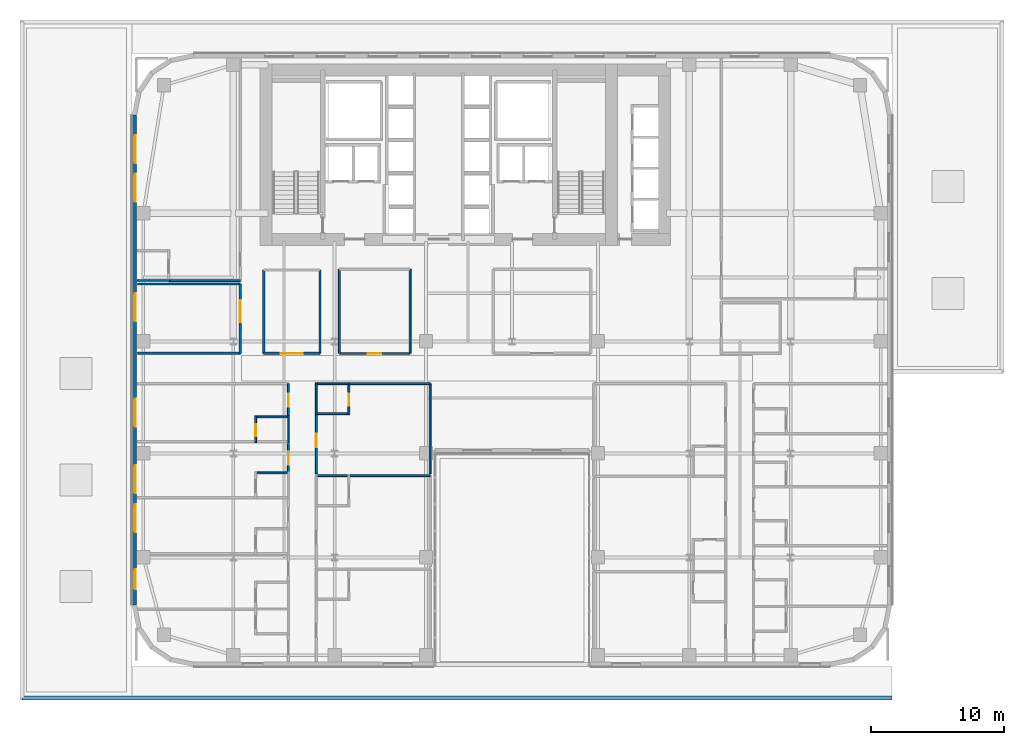
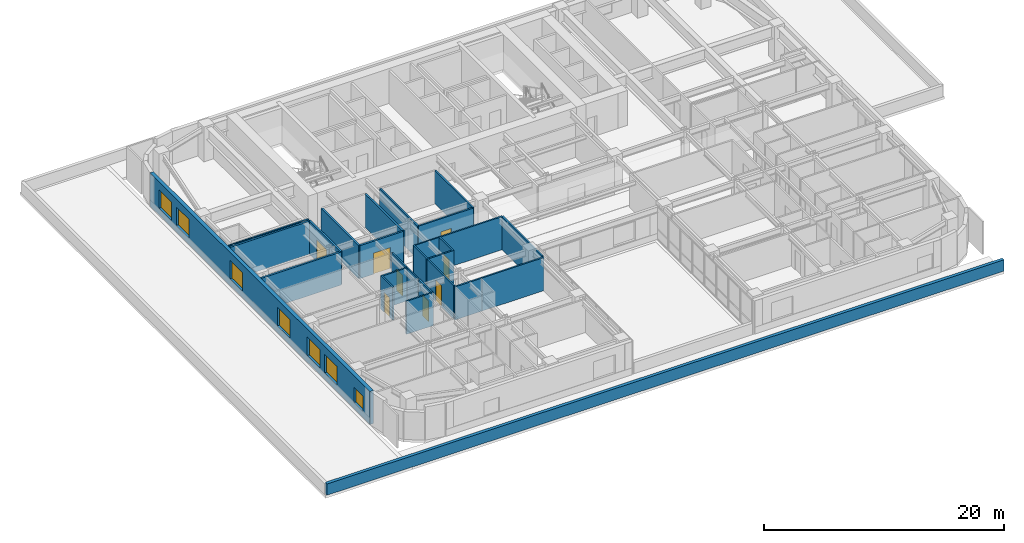
# One storey, part 14 of 25: 28 walls, 8 doors, 7 windows, 15 openings.
"""IFC4 building model written with IfcOpenShell, lengths in metres."""

import ifcopenshell
import ifcopenshell.guid

model = None  # the IFC model being written
_history = None  # IfcOwnerHistory: only IFC2X3 demands one
_inside = {}  # id of a spatial element -> (the spatial element, [elements in it])
_under = {}  # id of a project, library or spatial element -> (it, [spatial elements below it])
_declared = {}  # id of a project -> (the project, [libraries it declares])
_typed = {}  # id of a type object -> (the type object, [elements of that type])
_made_of = {}  # id of a material, layer set ... -> (it, [elements and type objects made of it])


def new_model(schema):
    """Start an empty IFC model of exactly this schema.

    Asked for "IFC4X3", IfcOpenShell would pick the latest addendum, in which some entities
    have other attributes; the version numbers below select the first issue.
    IFC2X3 requires an IfcOwnerHistory on every rooted entity: one is made here for all.
    """
    global model, _history
    if schema == "IFC4X3":
        model = ifcopenshell.file(schema_version=(4, 3, 0, 0))
    else:
        model = ifcopenshell.file(schema=schema)
    _inside.clear()
    _under.clear()
    _declared.clear()
    _typed.clear()
    _made_of.clear()
    _history = None
    if model.schema == "IFC2X3":
        org = make("IfcOrganization", Name="unknown")
        user = make(
            "IfcPersonAndOrganization",
            ThePerson=make("IfcPerson", FamilyName="unknown"),
            TheOrganization=org,
        )
        app = make(
            "IfcApplication",
            ApplicationDeveloper=org,
            Version="unknown",
            ApplicationFullName="unknown",
            ApplicationIdentifier="unknown",
        )
        _history = make(
            "IfcOwnerHistory",
            OwningUser=user,
            OwningApplication=app,
            ChangeAction="ADDED",
            CreationDate=0,
        )
    return model


def make(cls, **values):
    """One entity of the class cls with the attributes given. An attribute that is None is left unset."""
    return model.create_entity(
        cls, **{name: value for name, value in values.items() if value is not None}
    )


def rooted(cls, **values):
    """An entity with a GlobalId (a new one), such as an element, a storey or a relation."""
    return make(cls, GlobalId=ifcopenshell.guid.new(), OwnerHistory=_history, **values)


def si_unit(unit_type, name, prefix=None):
    """IfcSIUnit, for example si_unit("LENGTHUNIT", "METRE", prefix="MILLI")."""
    return make("IfcSIUnit", UnitType=unit_type, Prefix=prefix, Name=name)


def assignment(units):
    """IfcUnitAssignment: the units of a project."""
    return None if units is None else make("IfcUnitAssignment", Units=units)


def point(xyz):
    """IfcCartesianPoint."""
    return None if xyz is None else make("IfcCartesianPoint", Coordinates=xyz)


def direction(xyz):
    """IfcDirection."""
    return None if xyz is None else make("IfcDirection", DirectionRatios=xyz)


def frame(location, z_axis=None, x_axis=None):
    """IfcAxis2Placement3D, a coordinate frame: its origin and axes. An axis left out is left unset."""
    return make(
        "IfcAxis2Placement3D",
        Location=point(location),
        Axis=direction(z_axis),
        RefDirection=direction(x_axis),
    )


def frame_2d(location, x_axis=None):
    """IfcAxis2Placement2D, a coordinate frame in the plane: its origin and x axis."""
    return make(
        "IfcAxis2Placement2D", Location=point(location), RefDirection=direction(x_axis)
    )


def origin():
    """The frame at (0, 0, 0) with its axes left unset."""
    return frame((0.0, 0.0, 0.0))


def place(relative_to, where):
    """IfcLocalPlacement: puts the frame where relative to a parent placement (None: the world)."""
    return make(
        "IfcLocalPlacement", PlacementRelTo=relative_to, RelativePlacement=where
    )


def context(
    kind, dimensions, precision=None, world=None, true_north=None, identifier=None
):
    """IfcGeometricRepresentationContext, for example the 3D "Model" context."""
    return make(
        "IfcGeometricRepresentationContext",
        ContextIdentifier=identifier,
        ContextType=kind,
        CoordinateSpaceDimension=dimensions,
        Precision=precision,
        WorldCoordinateSystem=world,
        TrueNorth=true_north,
    )


def subcontext(parent, identifier, kind, view, scale=None):
    """IfcGeometricRepresentationSubContext, for example "Body" below "Model"."""
    return make(
        "IfcGeometricRepresentationSubContext",
        ContextIdentifier=identifier,
        ContextType=kind,
        ParentContext=parent,
        TargetScale=scale,
        TargetView=view,
    )


def project(units=None, contexts=None):
    """IfcProject with its units and contexts."""
    return rooted(
        "IfcProject",
        Name="project",
        RepresentationContexts=contexts,
        UnitsInContext=assignment(units),
    )


def spatial(cls, under=None, at=None, **own):
    """A site, building, storey or space (cls), placed at a placement, below another one or the project."""
    s = rooted(cls, ObjectPlacement=at, **own)
    if under is not None:
        _under.setdefault(under.id(), (under, []))[1].append(s)
    return s


def profile(cls, at=None, kind="AREA", **sizes):
    """A parametric profile (cls). Its sizes go by their IFC names, for example OverallWidth=200.0."""
    return make(cls, ProfileType=kind, Position=at, **sizes)


def rectangle(**sizes):
    """IfcRectangleProfileDef."""
    return profile("IfcRectangleProfileDef", **sizes)


def extrude(swept, where, along, depth):
    """IfcExtrudedAreaSolid: the profile swept, set in the frame where, extruded along a direction by depth."""
    return make(
        "IfcExtrudedAreaSolid",
        SweptArea=swept,
        Position=where,
        ExtrudedDirection=direction(along),
        Depth=depth,
    )


def shape(context_of_items, identifier, shape_type, items):
    """IfcShapeRepresentation: the items that make up one representation, for example the "Body"."""
    return make(
        "IfcShapeRepresentation",
        ContextOfItems=context_of_items,
        RepresentationIdentifier=identifier,
        RepresentationType=shape_type,
        Items=items,
    )


def source(mapping_origin, context_of_items, identifier, shape_type, items):
    """IfcRepresentationMap: a shape defined once, which mapped items show again and again."""
    return make(
        "IfcRepresentationMap",
        MappingOrigin=mapping_origin,
        MappedRepresentation=shape(context_of_items, identifier, shape_type, items),
    )


def transform(
    local_origin,
    x_axis=None,
    y_axis=None,
    z_axis=None,
    scale=None,
    scale2=None,
    scale3=None,
    uniform=True,
):
    """IfcCartesianTransformationOperator3D, or its non-uniform kind. x_axis, y_axis, z_axis: its Axis1, 2, 3."""
    if uniform:
        return make(
            "IfcCartesianTransformationOperator3D",
            Axis1=direction(x_axis),
            Axis2=direction(y_axis),
            LocalOrigin=point(local_origin),
            Scale=scale,
            Axis3=direction(z_axis),
        )
    return make(
        "IfcCartesianTransformationOperator3DnonUniform",
        Axis1=direction(x_axis),
        Axis2=direction(y_axis),
        LocalOrigin=point(local_origin),
        Scale=scale,
        Axis3=direction(z_axis),
        Scale2=scale2,
        Scale3=scale3,
    )


def mapped(mapping_source, mapping_target):
    """IfcMappedItem: shows the shape of a source again, moved by a transform."""
    return make(
        "IfcMappedItem", MappingSource=mapping_source, MappingTarget=mapping_target
    )


def material(Name=None, Category=None):
    """IfcMaterial."""
    return make("IfcMaterial", Name=Name, Category=Category)


def layer(
    of_material, thickness, ventilated=None, Name=None, Category=None, Priority=None
):
    """IfcMaterialLayer: one layer of a wall or slab, of a material (None: an air gap)."""
    return make(
        "IfcMaterialLayer",
        Material=of_material,
        LayerThickness=thickness,
        IsVentilated=ventilated,
        Name=Name,
        Category=Category,
        Priority=Priority,
    )


def layer_set(layers, Name=None):
    """IfcMaterialLayerSet."""
    return make("IfcMaterialLayerSet", MaterialLayers=layers, LayerSetName=Name)


def made_of(thing, what):
    """Note that an element or type object is made of a material, layer set ...; save() writes the relation."""
    if what is not None:
        _made_of.setdefault(what.id(), (what, []))[1].append(thing)
    return thing


def type_object(cls, material=None, **own):
    """A type object (cls), such as IfcWallType, which elements share."""
    return made_of(rooted(cls, **own), material)


def type_shapes(of_type, sources):
    """Give a type object the sources (RepresentationMaps) that its elements show as mapped items."""
    of_type.RepresentationMaps = sources


def element(
    cls,
    number,
    at=None,
    inside=None,
    cuts=None,
    type_object=None,
    material=None,
    context=None,
    identifier="Body",
    shape_type=None,
    held_by="IfcProductDefinitionShape",
    body=None,
    shapes=None,
    **own,
):
    """One element of the class cls, such as IfcWall. Its Tag is "e" and its number.

    at: its placement. inside: the storey or other place that contains it. cuts: it is an
    opening in that element (IfcRelVoidsElement). A single representation is given by context,
    identifier, shape_type and body (its items); several are given by shapes. held_by: the class
    of the entity that holds the representations. save() writes the other relations.
    """
    e = rooted(cls, Tag="e%d" % number, ObjectPlacement=at, **own)
    if body is not None:
        shapes = [shape(context, identifier, shape_type, body)]
    if shapes is not None:
        e.Representation = make(held_by, Representations=shapes)
    if inside is not None:
        _inside.setdefault(inside.id(), (inside, []))[1].append(e)
    if cuts is not None:
        rooted(
            "IfcRelVoidsElement", RelatingBuildingElement=cuts, RelatedOpeningElement=e
        )
    if type_object is not None:
        _typed.setdefault(type_object.id(), (type_object, []))[1].append(e)
    return made_of(e, material)


def fill(opening, filler):
    """IfcRelFillsElement: the door or window that sits in an opening."""
    return rooted(
        "IfcRelFillsElement",
        RelatingOpeningElement=opening,
        RelatedBuildingElement=filler,
    )


def aggregate(whole, parts):
    """IfcRelAggregates: a whole, such as a stair, and the parts it consists of."""
    return rooted("IfcRelAggregates", RelatingObject=whole, RelatedObjects=parts)


def save(model, path):
    """Write the relations noted so far, then the file.

    IfcRelAggregates (storeys below a building ...), IfcRelContainedInSpatialStructure (elements
    in a storey), IfcRelDefinesByType, IfcRelAssociatesMaterial and IfcRelDeclares: one each for
    every whole, place, type object, material and project.
    """
    for whole, parts in _under.values():
        aggregate(whole, parts)
    for where, things in _inside.values():
        rooted(
            "IfcRelContainedInSpatialStructure",
            RelatedElements=things,
            RelatingStructure=where,
        )
    for kind, things in _typed.values():
        rooted("IfcRelDefinesByType", RelatedObjects=things, RelatingType=kind)
    for what, things in _made_of.values():
        rooted("IfcRelAssociatesMaterial", RelatedObjects=things, RelatingMaterial=what)
    for by, libraries in _declared.values():
        rooted("IfcRelDeclares", RelatingContext=by, RelatedDefinitions=libraries)
    model.write(path)


model = new_model("IFC4")

# Units and contexts
model_context = context("Model", 3, precision=1e-05, world=origin(), true_north=direction((0.0, 1.0)))
body_context = subcontext(model_context, "Body", "Model", "MODEL_VIEW")
ifc_project = project(units=[si_unit("LENGTHUNIT", "METRE"), si_unit("AREAUNIT", "SQUARE_METRE"), si_unit("VOLUMEUNIT", "CUBIC_METRE"), si_unit("PLANEANGLEUNIT", "RADIAN"), si_unit("MASSUNIT", "GRAM", prefix="KILO")], contexts=[model_context])

# Site, building, storey
site_placement = place(None, origin())
site = spatial("IfcSite", under=ifc_project, at=site_placement, CompositionType="ELEMENT")
building_placement = place(site_placement, origin())
building = spatial("IfcBuilding", under=site, at=building_placement, Name="Tolvann Quenvar Hotel", CompositionType="ELEMENT")
storey_placement = place(building_placement, frame((0.0, 0.0, 32.0)))
storey = spatial("IfcBuildingStorey", under=building, at=storey_placement, Name="L06", CompositionType="ELEMENT", Elevation=32.0)

# Wall, openings, windows
ifc_material_1 = material(Name="Kiln-fired red and buff architectural clay brickwork and terracotta masonry", Category="masonry")
ifc_layer_1 = layer(ifc_material_1, 0.35009765625)
ifc_layer_set_1 = layer_set([ifc_layer_1], Name="Kiln-fired red and buff architectural clay brickwork and terracotta masonry")
wall_type_1 = type_object("IfcWallType", Name="WALL_EXT_BRICK_350", PredefinedType="SOLIDWALL", material=ifc_layer_set_1)
wall_1_placement = place(storey_placement, frame((0.175048828125, 41.3828125, 0.0), z_axis=(0.0, 0.0, 1.0), x_axis=(0.0, -1.0, 0.0)))
wall_1 = element("IfcWall", 1, at=wall_1_placement, inside=storey, type_object=wall_type_1, Name="Exterior Chicago Brick Wall L06-E23", PredefinedType="SOLIDWALL", context=body_context, shape_type="SweptSolid", body=[
    extrude(rectangle(XDim=36.765625, YDim=0.35009765625, at=frame_2d((18.3828125, 0.0))), origin(), (0.0, 0.0, 1.0), 3.3701171875),
])
opening_1_placement = place(wall_1_placement, frame((1.52587890625, 0.0, 0.679931640625)))
opening_1 = element("IfcOpeningElement", 2, at=opening_1_placement, cuts=wall_1, Name="Opening W-02", PredefinedType="OPENING", context=body_context, shape_type="SweptSolid", body=[
    extrude(rectangle(XDim=2.10009765625, YDim=1.89990234375, at=frame_2d((1.050048828125, 0.949951171875))), frame((0.0, 0.18505859375, 0.0), z_axis=(0.0, -1.0, 0.0), x_axis=(1.0, 0.0, 0.0)), (0.0, 0.0, 1.0), 0.3701171875),
])
opening_2_placement = place(wall_1_placement, frame((4.427978515625, 0.0, 0.679931640625)))
opening_2 = element("IfcOpeningElement", 3, at=opening_2_placement, cuts=wall_1, Name="Opening W-02", PredefinedType="OPENING", context=body_context, shape_type="SweptSolid", body=[
    extrude(rectangle(XDim=2.10009765625, YDim=1.89990234375, at=frame_2d((1.050048828125, 0.949951171875))), frame((0.0, 0.18505859375, 0.0), z_axis=(0.0, -1.0, 0.0), x_axis=(1.0, 0.0, 0.0)), (0.0, 0.0, 1.0), 0.3701171875),
])
opening_3_placement = place(wall_1_placement, frame((13.381103515625, 0.0, 0.679931640625)))
opening_3 = element("IfcOpeningElement", 4, at=opening_3_placement, cuts=wall_1, Name="Opening W-02", PredefinedType="OPENING", context=body_context, shape_type="SweptSolid", body=[
    extrude(rectangle(XDim=2.10009765625, YDim=1.89990234375, at=frame_2d((1.050048828125, 0.949951171875))), frame((0.0, 0.18505859375, 0.0), z_axis=(0.0, -1.0, 0.0), x_axis=(1.0, 0.0, 0.0)), (0.0, 0.0, 1.0), 0.3701171875),
])
opening_4_placement = place(wall_1_placement, frame((21.284912109375, 0.0, 0.679931640625)))
opening_4 = element("IfcOpeningElement", 5, at=opening_4_placement, cuts=wall_1, Name="Opening W-02", PredefinedType="OPENING", context=body_context, shape_type="SweptSolid", body=[
    extrude(rectangle(XDim=2.10009765625, YDim=1.89990234375, at=frame_2d((1.050048828125, 0.949951171875))), frame((0.0, 0.18505859375, 0.0), z_axis=(0.0, -1.0, 0.0), x_axis=(1.0, 0.0, 0.0)), (0.0, 0.0, 1.0), 0.3701171875),
])
opening_5_placement = place(wall_1_placement, frame((26.285888671875, 0.0, 0.679931640625)))
opening_5 = element("IfcOpeningElement", 6, at=opening_5_placement, cuts=wall_1, Name="Opening W-02", PredefinedType="OPENING", context=body_context, shape_type="SweptSolid", body=[
    extrude(rectangle(XDim=2.10009765625, YDim=1.89990234375, at=frame_2d((1.050048828125, 0.949951171875))), frame((0.0, 0.18505859375, 0.0), z_axis=(0.0, -1.0, 0.0), x_axis=(1.0, 0.0, 0.0)), (0.0, 0.0, 1.0), 0.3701171875),
])
opening_6_placement = place(wall_1_placement, frame((29.18798828125, 0.0, 0.679931640625)))
opening_6 = element("IfcOpeningElement", 7, at=opening_6_placement, cuts=wall_1, Name="Opening W-02", PredefinedType="OPENING", context=body_context, shape_type="SweptSolid", body=[
    extrude(rectangle(XDim=2.10009765625, YDim=1.89990234375, at=frame_2d((1.050048828125, 0.949951171875))), frame((0.0, 0.18505859375, 0.0), z_axis=(0.0, -1.0, 0.0), x_axis=(1.0, 0.0, 0.0)), (0.0, 0.0, 1.0), 0.3701171875),
])
opening_7_placement = place(wall_1_placement, frame((34.0791015625, 0.0, 0.6201171875)))
opening_7 = element("IfcOpeningElement", 8, at=opening_7_placement, cuts=wall_1, Name="Opening W-08", PredefinedType="OPENING", context=body_context, shape_type="SweptSolid", body=[
    extrude(rectangle(XDim=1.5, YDim=1.550048828125, at=frame_2d((0.75, 0.77490234375))), frame((0.0, 0.18505859375, 0.0), z_axis=(0.0, -1.0, 0.0), x_axis=(1.0, 0.0, 0.0)), (0.0, 0.0, 1.0), 0.3701171875),
])
ifc_material_2 = material(Name="Thermally broken bronze-anodised aluminium frame with double low-E glazing", Category="aluminium")
window_type_1 = type_object("IfcWindowType", Name="WIN_COR_1500x2050", PartitioningType="SINGLE_PANEL", PredefinedType="WINDOW", material=ifc_material_2)
shared_shape_1 = source(origin(), body_context, "Body", "SweptSolid", [
    extrude(rectangle(XDim=1.5, YDim=1.550048828125, at=frame_2d((0.75, 0.77490234375))), frame((0.0, 0.090087890625, 0.0), z_axis=(0.0, -1.0, 0.0), x_axis=(1.0, 0.0, 0.0)), (0.0, 0.0, 1.0), 0.06005859375),
])
type_shapes(window_type_1, [shared_shape_1])
window_1_placement = place(opening_7_placement, origin())
window_1 = element("IfcWindow", 9, at=window_1_placement, inside=storey, type_object=window_type_1, Name="Chicago Window W-08 (EW-L06-E23-WD07)", OverallHeight=1.550048828125, OverallWidth=1.5, PartitioningType="SINGLE_PANEL", PredefinedType="WINDOW", context=body_context, shape_type="MappedRepresentation", body=[
    mapped(shared_shape_1, transform((0.0, 0.0, 0.0), x_axis=(1.0, 0.0, 0.0), y_axis=(0.0, 1.0, 0.0), z_axis=(0.0, 0.0, 1.0), scale=1.0)),
])
fill(opening_7, window_1)
window_type_2 = type_object("IfcWindowType", Name="WIN_CHI_2100x2050", PartitioningType="TRIPLE_PANEL_HORIZONTAL", PredefinedType="WINDOW", material=ifc_material_2)
shared_shape_2 = source(origin(), body_context, "Body", "SweptSolid", [
    extrude(rectangle(XDim=2.10009765625, YDim=1.89990234375, at=frame_2d((1.050048828125, 0.949951171875))), frame((0.0, 0.090087890625, 0.0), z_axis=(0.0, -1.0, 0.0), x_axis=(1.0, 0.0, 0.0)), (0.0, 0.0, 1.0), 0.06005859375),
])
type_shapes(window_type_2, [shared_shape_2])
window_2_placement = place(opening_1_placement, origin())
window_2 = element("IfcWindow", 10, at=window_2_placement, inside=storey, type_object=window_type_2, Name="Chicago Window W-02 (EW-L06-E23-W01)", OverallHeight=1.89990234375, OverallWidth=2.10009765625, PartitioningType="TRIPLE_PANEL_HORIZONTAL", PredefinedType="WINDOW", context=body_context, shape_type="MappedRepresentation", body=[
    mapped(shared_shape_2, transform((0.0, 0.0, 0.0), x_axis=(1.0, 0.0, 0.0), y_axis=(0.0, 1.0, 0.0), z_axis=(0.0, 0.0, 1.0), scale=1.0)),
])
fill(opening_1, window_2)
window_3_placement = place(opening_2_placement, origin())
window_3 = element("IfcWindow", 11, at=window_3_placement, inside=storey, type_object=window_type_2, Name="Chicago Window W-02 (EW-L06-E23-W02)", OverallHeight=1.89990234375, OverallWidth=2.10009765625, PartitioningType="TRIPLE_PANEL_HORIZONTAL", PredefinedType="WINDOW", context=body_context, shape_type="MappedRepresentation", body=[
    mapped(shared_shape_2, transform((0.0, 0.0, 0.0), x_axis=(1.0, 0.0, 0.0), y_axis=(0.0, 1.0, 0.0), z_axis=(0.0, 0.0, 1.0), scale=1.0)),
])
fill(opening_2, window_3)
window_4_placement = place(opening_3_placement, origin())
window_4 = element("IfcWindow", 12, at=window_4_placement, inside=storey, type_object=window_type_2, Name="Chicago Window W-02 (EW-L06-E23-W03)", OverallHeight=1.89990234375, OverallWidth=2.10009765625, PartitioningType="TRIPLE_PANEL_HORIZONTAL", PredefinedType="WINDOW", context=body_context, shape_type="MappedRepresentation", body=[
    mapped(shared_shape_2, transform((0.0, 0.0, 0.0), x_axis=(1.0, 0.0, 0.0), y_axis=(0.0, 1.0, 0.0), z_axis=(0.0, 0.0, 1.0), scale=1.0)),
])
fill(opening_3, window_4)
window_5_placement = place(opening_4_placement, origin())
window_5 = element("IfcWindow", 13, at=window_5_placement, inside=storey, type_object=window_type_2, Name="Chicago Window W-02 (EW-L06-E23-W04)", OverallHeight=1.89990234375, OverallWidth=2.10009765625, PartitioningType="TRIPLE_PANEL_HORIZONTAL", PredefinedType="WINDOW", context=body_context, shape_type="MappedRepresentation", body=[
    mapped(shared_shape_2, transform((0.0, 0.0, 0.0), x_axis=(1.0, 0.0, 0.0), y_axis=(0.0, 1.0, 0.0), z_axis=(0.0, 0.0, 1.0), scale=1.0)),
])
fill(opening_4, window_5)
window_6_placement = place(opening_5_placement, origin())
window_6 = element("IfcWindow", 14, at=window_6_placement, inside=storey, type_object=window_type_2, Name="Chicago Window W-02 (EW-L06-E23-W05)", OverallHeight=1.89990234375, OverallWidth=2.10009765625, PartitioningType="TRIPLE_PANEL_HORIZONTAL", PredefinedType="WINDOW", context=body_context, shape_type="MappedRepresentation", body=[
    mapped(shared_shape_2, transform((0.0, 0.0, 0.0), x_axis=(1.0, 0.0, 0.0), y_axis=(0.0, 1.0, 0.0), z_axis=(0.0, 0.0, 1.0), scale=1.0)),
])
fill(opening_5, window_6)
window_7_placement = place(opening_6_placement, origin())
window_7 = element("IfcWindow", 15, at=window_7_placement, inside=storey, type_object=window_type_2, Name="Chicago Window W-02 (EW-L06-E23-W06)", OverallHeight=1.89990234375, OverallWidth=2.10009765625, PartitioningType="TRIPLE_PANEL_HORIZONTAL", PredefinedType="WINDOW", context=body_context, shape_type="MappedRepresentation", body=[
    mapped(shared_shape_2, transform((0.0, 0.0, 0.0), x_axis=(1.0, 0.0, 0.0), y_axis=(0.0, 1.0, 0.0), z_axis=(0.0, 0.0, 1.0), scale=1.0)),
])
fill(opening_6, window_7)

# Wall
ifc_layer_2 = layer(ifc_material_1, 0.300048828125)
ifc_layer_set_2 = layer_set([ifc_layer_2], Name="Kiln-fired red and buff architectural clay brickwork and terracotta masonry")
wall_type_2 = type_object("IfcWallType", Name="WALL_PARAPET_300", PredefinedType="PARAPET", material=ifc_layer_set_2)
wall_2_placement = place(storey_placement, frame((-8.25, -2.35009765625, 0.0), z_axis=(0.0, 0.0, 1.0), x_axis=(1.0, 0.0, 0.0)))
element("IfcWall", 16, at=wall_2_placement, inside=storey, type_object=wall_type_2, Name="Podium Roof Parapet POD-S", PredefinedType="PARAPET", context=body_context, shape_type="SweptSolid", body=[
    extrude(rectangle(XDim=65.25, YDim=0.300048828125, at=frame_2d((32.625, 0.0))), origin(), (0.0, 0.0, 1.0), 1.14990234375),
])

# Wall, opening, door
ifc_material_3 = material(Name="Acoustic twin-stud fire-rated gypsum plasterboard partition")
ifc_layer_3 = layer(ifc_material_3, 0.179931640625)
ifc_layer_set_3 = layer_set([ifc_layer_3], Name="Acoustic twin-stud fire-rated gypsum plasterboard partition")
wall_type_3 = type_object("IfcWallType", Name="WALL_PART_ACOUSTIC_180", PredefinedType="PARTITIONING", material=ifc_layer_set_3)
wall_3_placement = place(storey_placement, frame((8.1201171875, 23.5, 0.0), z_axis=(0.0, 0.0, 1.0), x_axis=(0.0, 1.0, 0.0)))
wall_3 = element("IfcWall", 17, at=wall_3_placement, inside=storey, type_object=wall_type_3, Name="Interior Partition PT-SPC-L06-SAL-ENT", PredefinedType="PARTITIONING", context=body_context, shape_type="SweptSolid", body=[
    extrude(rectangle(XDim=5.199951171875, YDim=0.179931640625, at=frame_2d((2.60009765625, 0.0))), origin(), (0.0, 0.0, 1.0), 3.3701171875),
])
opening_8_placement = place(wall_3_placement, frame((2.324951171875, 0.0, 0.0)))
opening_8 = element("IfcOpeningElement", 18, at=opening_8_placement, cuts=wall_3, Name="Opening AD-01", PredefinedType="OPENING", context=body_context, shape_type="SweptSolid", body=[
    extrude(rectangle(XDim=1.64990234375, YDim=2.14990234375, at=frame_2d((0.824951171875, 1.074951171875))), frame((0.0, 0.10009765625, 0.0), z_axis=(0.0, -1.0, 0.0), x_axis=(1.0, 0.0, 0.0)), (0.0, 0.0, 1.0), 0.199951171875),
])
ifc_material_4 = material(Name="Solid-core American oak acoustic fire door leaf in steel frame", Category="steel")
door_type_1 = type_object("IfcDoorType", Name="DOOR_SALON_1650", OperationType="NOTDEFINED", PredefinedType="DOOR", material=ifc_material_4)
shared_shape_3 = source(origin(), body_context, "Body", "SweptSolid", [
    extrude(rectangle(XDim=1.64990234375, YDim=2.14990234375, at=frame_2d((0.824951171875, 1.074951171875))), frame((0.0, 0.02490234375, 0.0), z_axis=(0.0, -1.0, 0.0), x_axis=(1.0, 0.0, 0.0)), (0.0, 0.0, 1.0), 0.050048828125),
])
type_shapes(door_type_1, [shared_shape_3])
door_1_placement = place(opening_8_placement, origin())
door_1 = element("IfcDoor", 19, at=door_1_placement, inside=storey, type_object=door_type_1, Name="Interior Door DOOR-SPC-L06-SAL", OperationType="DOUBLE_DOOR_SINGLE_SWING", OverallHeight=2.14990234375, OverallWidth=1.64990234375, PredefinedType="DOOR", context=body_context, shape_type="MappedRepresentation", body=[
    mapped(shared_shape_3, transform((0.0, 0.0, 0.0), x_axis=(1.0, 0.0, 0.0), y_axis=(0.0, 1.0, 0.0), z_axis=(0.0, 0.0, 1.0), scale=1.0)),
])
fill(opening_8, door_1)

# Walls
for number, where, z_axis, x_axis, name in (
    (20, (0.405029296875, 23.5, 0.0), (0.0, 0.0, 1.0), (1.0, 0.0, 0.0), "Interior Partition PT-SPC-L06-SAL-S"),
    (21, (0.405029296875, 28.699951171875, 0.0), (0.0, 0.0, 1.0), (1.0, 0.0, 0.0), "Interior Partition PT-SPC-L06-SAL-N"),
):
    element("IfcWall", number, at=place(storey_placement, frame(where, z_axis=z_axis, x_axis=x_axis)), inside=storey, type_object=wall_type_3, Name=name, PredefinedType="PARTITIONING", context=body_context, shape_type="SweptSolid", body=[
        extrude(rectangle(XDim=7.715087890625, YDim=0.179931640625, at=frame_2d((3.857421875, 0.0))), origin(), (0.0, 0.0, 1.0), 3.3701171875),
    ])

# Wall, opening, door
wall_4_placement = place(storey_placement, frame((9.8798828125, 23.5, 0.0), z_axis=(0.0, 0.0, 1.0), x_axis=(1.0, 0.0, 0.0)))
wall_4 = element("IfcWall", 22, at=wall_4_placement, inside=storey, type_object=wall_type_3, Name="Interior Partition PT-SPC-L06-MSP-W-S", PredefinedType="PARTITIONING", context=body_context, shape_type="SweptSolid", body=[
    extrude(rectangle(XDim=4.22021484375, YDim=0.179931640625, at=frame_2d((2.110107421875, 0.0))), origin(), (0.0, 0.0, 1.0), 3.3701171875),
])
opening_9_placement = place(wall_4_placement, frame((1.284912109375, 0.0, 0.0)))
opening_9 = element("IfcOpeningElement", 23, at=opening_9_placement, cuts=wall_4, Name="Opening AD-01", PredefinedType="OPENING", context=body_context, shape_type="SweptSolid", body=[
    extrude(rectangle(XDim=1.64990234375, YDim=2.14990234375, at=frame_2d((0.824951171875, 1.074951171875))), frame((0.0, 0.10009765625, 0.0), z_axis=(0.0, -1.0, 0.0), x_axis=(1.0, 0.0, 0.0)), (0.0, 0.0, 1.0), 0.199951171875),
])
door_2_placement = place(opening_9_placement, origin())
door_2 = element("IfcDoor", 24, at=door_2_placement, inside=storey, type_object=door_type_1, Name="Interior Door DOOR-SPC-L06-MSP-W", OperationType="DOUBLE_DOOR_SINGLE_SWING", OverallHeight=2.14990234375, OverallWidth=1.64990234375, PredefinedType="DOOR", context=body_context, shape_type="MappedRepresentation", body=[
    mapped(shared_shape_3, transform((0.0, 0.0, 0.0), x_axis=(1.0, 0.0, 0.0), y_axis=(0.0, 1.0, 0.0), z_axis=(0.0, 0.0, 1.0), scale=1.0)),
])
fill(opening_9, door_2)

# Walls
for number, where, z_axis, x_axis, name in (
    (25, (9.8798828125, 23.5, 0.0), (0.0, 0.0, 1.0), (0.0, 1.0, 0.0), "Interior Partition PT-SPC-L06-MSP-W-W"),
    (26, (14.10009765625, 23.5, 0.0), (0.0, 0.0, 1.0), (0.0, 1.0, 0.0), "Interior Partition PT-SPC-L06-MSP-W-E"),
):
    element("IfcWall", number, at=place(storey_placement, frame(where, z_axis=z_axis, x_axis=x_axis)), inside=storey, type_object=wall_type_3, Name=name, PredefinedType="PARTITIONING", context=body_context, shape_type="SweptSolid", body=[
        extrude(rectangle(XDim=6.25, YDim=0.179931640625, at=frame_2d((3.125, 0.0))), origin(), (0.0, 0.0, 1.0), 3.3701171875),
    ])
ifc_material_5 = material(Name="Moisture-resistant acoustic plumbing wall assembly")
ifc_layer_4 = layer(ifc_material_5, 0.1201171875)
ifc_layer_set_4 = layer_set([ifc_layer_4], Name="Moisture-resistant acoustic plumbing wall assembly")
wall_type_4 = type_object("IfcWallType", Name="WALL_PART_BATH_120", PredefinedType="PLUMBINGWALL", material=ifc_layer_set_4)
wall_5_placement = place(storey_placement, frame((11.72998046875, 16.81005859375, 0.0), z_axis=(0.0, 0.0, 1.0), x_axis=(0.0, 1.0, 0.0)))
element("IfcWall", 27, at=wall_5_placement, inside=storey, type_object=wall_type_4, Name="Non-Rated Plumbing Partition PT-SPC-L06-ENS-WO05-E", PredefinedType="PLUMBINGWALL", context=body_context, shape_type="SweptSolid", body=[
    extrude(rectangle(XDim=1.989990234375, YDim=0.1201171875, at=frame_2d((0.9951171875, 0.0))), origin(), (0.0, 0.0, 1.0), 3.3701171875),
])
wall_6_placement = place(storey_placement, frame((13.75, 21.219970703125, 0.0), z_axis=(0.0, 0.0, 1.0), x_axis=(1.0, 0.0, 0.0)))
element("IfcWall", 28, at=wall_6_placement, inside=storey, type_object=wall_type_4, Name="Non-Rated Plumbing Partition PT-SPC-L06-ENS-WI03-N", PredefinedType="PLUMBINGWALL", context=body_context, shape_type="SweptSolid", body=[
    extrude(rectangle(XDim=2.590087890625, YDim=0.1201171875, at=frame_2d((1.294921875, 0.0))), origin(), (0.0, 0.0, 1.0), 3.3701171875),
])
wall_7_placement = place(storey_placement, frame((13.820068359375, 18.89990234375, 0.0), z_axis=(0.0, 0.0, 1.0), x_axis=(0.0, 1.0, 0.0)))
element("IfcWall", 29, at=wall_7_placement, inside=storey, type_object=wall_type_4, Name="Non-Rated Plumbing Partition PT-SPC-L06-ENS-WI03-W", PredefinedType="PLUMBINGWALL", context=body_context, shape_type="SweptSolid", body=[
    extrude(rectangle(XDim=2.39013671875, YDim=0.1201171875, at=frame_2d((1.195068359375, 0.0))), origin(), (0.0, 0.0, 1.0), 3.3701171875),
])
wall_8_placement = place(storey_placement, frame((0.405029296875, 28.9599609375, 0.0), z_axis=(0.0, 0.0, 1.0), x_axis=(1.0, 0.0, 0.0)))
element("IfcWall", 30, at=wall_8_placement, inside=storey, type_object=wall_type_4, Name="Non-Rated Plumbing Partition PT-SPC-L06-ENS-NW01-S", PredefinedType="PLUMBINGWALL", context=body_context, shape_type="SweptSolid", body=[
    extrude(rectangle(XDim=2.4150390625, YDim=0.1201171875, at=frame_2d((1.20751953125, 0.0))), origin(), (0.0, 0.0, 1.0), 3.3701171875),
])
ifc_layer_5 = layer(ifc_material_3, 0.14990234375)
ifc_layer_set_5 = layer_set([ifc_layer_5], Name="Acoustic twin-stud fire-rated gypsum plasterboard partition")
wall_type_5 = type_object("IfcWallType", Name="WALL_PART_SUITE_150", PredefinedType="PARTITIONING", material=ifc_layer_set_5)
wall_9_placement = place(storey_placement, frame((9.2099609375, 14.530029296875, 0.0), z_axis=(0.0, 0.0, 1.0), x_axis=(1.0, 0.0, 0.0)))
element("IfcWall", 31, at=wall_9_placement, inside=storey, type_object=wall_type_5, Name="Interior Partition PT-SPC-L06-ENS-WO04-N", PredefinedType="PARTITIONING", context=body_context, shape_type="SweptSolid", body=[
    extrude(rectangle(XDim=2.590087890625, YDim=0.14990234375, at=frame_2d((1.294921875, 0.0))), origin(), (0.0, 0.0, 1.0), 3.3701171875),
])

# Wall, opening, door
wall_10_placement = place(storey_placement, frame((9.280029296875, 16.81005859375, 0.0), z_axis=(0.0, 0.0, 1.0), x_axis=(0.0, 1.0, 0.0)))
wall_10 = element("IfcWall", 32, at=wall_10_placement, inside=storey, type_object=wall_type_5, Name="Interior Partition PT-SPC-L06-ENS-WO05-ENT", PredefinedType="PARTITIONING", context=body_context, shape_type="SweptSolid", body=[
    extrude(rectangle(XDim=1.989990234375, YDim=0.14990234375, at=frame_2d((0.9951171875, 0.0))), origin(), (0.0, 0.0, 1.0), 3.3701171875),
])
opening_10_placement = place(wall_10_placement, frame((0.465087890625, 0.0, 0.0)))
opening_10 = element("IfcOpeningElement", 33, at=opening_10_placement, cuts=wall_10, Name="Opening WD-01", PredefinedType="OPENING", context=body_context, shape_type="SweptSolid", body=[
    extrude(rectangle(XDim=0.919921875, YDim=2.010009765625, at=frame_2d((0.4599609375, 1.0048828125))), frame((0.0, 0.0849609375, 0.0), z_axis=(0.0, -1.0, 0.0), x_axis=(1.0, 0.0, 0.0)), (0.0, 0.0, 1.0), 0.169921875),
])
door_type_2 = type_object("IfcDoorType", Name="DOOR_WC_920", OperationType="NOTDEFINED", PredefinedType="DOOR", material=ifc_material_4)
shared_shape_4 = source(origin(), body_context, "Body", "SweptSolid", [
    extrude(rectangle(XDim=0.919921875, YDim=2.010009765625, at=frame_2d((0.4599609375, 1.0048828125))), frame((0.0, 0.02490234375, 0.0), z_axis=(0.0, -1.0, 0.0), x_axis=(1.0, 0.0, 0.0)), (0.0, 0.0, 1.0), 0.050048828125),
])
type_shapes(door_type_2, [shared_shape_4])
door_3_placement = place(opening_10_placement, origin())
door_3 = element("IfcDoor", 34, at=door_3_placement, inside=storey, type_object=door_type_2, Name="Interior Door DOOR-SPC-L06-ENS-WO05", OperationType="SINGLE_SWING_RIGHT", OverallHeight=2.010009765625, OverallWidth=0.919921875, PredefinedType="DOOR", context=body_context, shape_type="MappedRepresentation", body=[
    mapped(shared_shape_4, transform((0.0, 0.0, 0.0), x_axis=(1.0, 0.0, 0.0), y_axis=(0.0, 1.0, 0.0), z_axis=(0.0, 0.0, 1.0), scale=1.0)),
])
fill(opening_10, door_3)

# Walls
for number, where, z_axis, x_axis, name in (
    (35, (9.2099609375, 18.72998046875, 0.0), (0.0, 0.0, 1.0), (1.0, 0.0, 0.0), "Interior Partition PT-SPC-L06-ENS-WO05-N"),
    (36, (13.75, 14.320068359375, 0.0), (0.0, 0.0, 1.0), (1.0, 0.0, 0.0), "Interior Partition PT-SPC-L06-ENS-WI02-N"),
):
    element("IfcWall", number, at=place(storey_placement, frame(where, z_axis=z_axis, x_axis=x_axis)), inside=storey, type_object=wall_type_5, Name=name, PredefinedType="PARTITIONING", context=body_context, shape_type="SweptSolid", body=[
        extrude(rectangle(XDim=2.590087890625, YDim=0.14990234375, at=frame_2d((1.294921875, 0.0))), origin(), (0.0, 0.0, 1.0), 3.3701171875),
    ])

# Wall, opening, door
wall_11_placement = place(storey_placement, frame((16.27001953125, 18.89990234375, 0.0), z_axis=(0.0, 0.0, 1.0), x_axis=(0.0, 1.0, 0.0)))
wall_11 = element("IfcWall", 37, at=wall_11_placement, inside=storey, type_object=wall_type_5, Name="Interior Partition PT-SPC-L06-ENS-WI03-ENT", PredefinedType="PARTITIONING", context=body_context, shape_type="SweptSolid", body=[
    extrude(rectangle(XDim=2.39013671875, YDim=0.14990234375, at=frame_2d((1.195068359375, 0.0))), origin(), (0.0, 0.0, 1.0), 3.3701171875),
])
opening_11_placement = place(wall_11_placement, frame((0.6650390625, 0.0, 0.0)))
opening_11 = element("IfcOpeningElement", 38, at=opening_11_placement, cuts=wall_11, Name="Opening WD-01", PredefinedType="OPENING", context=body_context, shape_type="SweptSolid", body=[
    extrude(rectangle(XDim=0.919921875, YDim=2.010009765625, at=frame_2d((0.4599609375, 1.0048828125))), frame((0.0, 0.0849609375, 0.0), z_axis=(0.0, -1.0, 0.0), x_axis=(1.0, 0.0, 0.0)), (0.0, 0.0, 1.0), 0.169921875),
])
door_4_placement = place(opening_11_placement, origin())
door_4 = element("IfcDoor", 39, at=door_4_placement, inside=storey, type_object=door_type_2, Name="Interior Door DOOR-SPC-L06-ENS-WI03", OperationType="SINGLE_SWING_LEFT", OverallHeight=2.010009765625, OverallWidth=0.919921875, PredefinedType="DOOR", context=body_context, shape_type="MappedRepresentation", body=[
    mapped(shared_shape_4, transform((0.0, 0.0, 0.0), x_axis=(1.0, 0.0, 0.0), y_axis=(0.0, 1.0, 0.0), z_axis=(0.0, 0.0, 1.0), scale=1.0)),
])
fill(opening_11, door_4)

# Wall
wall_12_placement = place(storey_placement, frame((13.75, 18.969970703125, 0.0), z_axis=(0.0, 0.0, 1.0), x_axis=(1.0, 0.0, 0.0)))
element("IfcWall", 40, at=wall_12_placement, inside=storey, type_object=wall_type_5, Name="Interior Partition PT-SPC-L06-ENS-WI03-S", PredefinedType="PARTITIONING", context=body_context, shape_type="SweptSolid", body=[
    extrude(rectangle(XDim=2.590087890625, YDim=0.14990234375, at=frame_2d((1.294921875, 0.0))), origin(), (0.0, 0.0, 1.0), 3.3701171875),
])

# Wall, opening, door
wall_13_placement = place(storey_placement, frame((11.72998046875, 14.610107421875, 0.0), z_axis=(0.0, 0.0, 1.0), x_axis=(0.0, 1.0, 0.0)))
wall_13 = element("IfcWall", 41, at=wall_13_placement, inside=storey, type_object=wall_type_5, Name="Interior Partition PT-SPC-L06-RM-WO04-ENT", PredefinedType="PARTITIONING", context=body_context, shape_type="SweptSolid", body=[
    extrude(rectangle(XDim=2.10986328125, YDim=0.14990234375, at=frame_2d((1.054931640625, 0.0))), origin(), (0.0, 0.0, 1.0), 3.3701171875),
])
opening_12_placement = place(wall_13_placement, frame((0.544921875, 0.0, 0.0)))
opening_12 = element("IfcOpeningElement", 42, at=opening_12_placement, cuts=wall_13, Name="Opening SD-01", PredefinedType="OPENING", context=body_context, shape_type="SweptSolid", body=[
    extrude(rectangle(XDim=0.97998046875, YDim=2.1201171875, at=frame_2d((0.489990234375, 1.06005859375))), frame((0.0, 0.0849609375, 0.0), z_axis=(0.0, -1.0, 0.0), x_axis=(1.0, 0.0, 0.0)), (0.0, 0.0, 1.0), 0.169921875),
])
door_type_3 = type_object("IfcDoorType", Name="DOOR_SUITE_980", OperationType="NOTDEFINED", PredefinedType="DOOR", material=ifc_material_4)
shared_shape_5 = source(origin(), body_context, "Body", "SweptSolid", [
    extrude(rectangle(XDim=0.97998046875, YDim=2.1201171875, at=frame_2d((0.489990234375, 1.06005859375))), frame((0.0, 0.02490234375, 0.0), z_axis=(0.0, -1.0, 0.0), x_axis=(1.0, 0.0, 0.0)), (0.0, 0.0, 1.0), 0.050048828125),
])
type_shapes(door_type_3, [shared_shape_5])
door_5_placement = place(opening_12_placement, origin())
door_5 = element("IfcDoor", 43, at=door_5_placement, inside=storey, type_object=door_type_3, Name="Interior Door DOOR-SPC-L06-RM-WO04", OperationType="SINGLE_SWING_LEFT", OverallHeight=2.1201171875, OverallWidth=0.97998046875, PredefinedType="DOOR", context=body_context, shape_type="MappedRepresentation", body=[
    mapped(shared_shape_5, transform((0.0, 0.0, 0.0), x_axis=(1.0, 0.0, 0.0), y_axis=(0.0, 1.0, 0.0), z_axis=(0.0, 0.0, 1.0), scale=1.0)),
])
fill(opening_12, door_5)

wall_14_placement = place(storey_placement, frame((11.72998046875, 18.81005859375, 0.0), z_axis=(0.0, 0.0, 1.0), x_axis=(0.0, 1.0, 0.0)))
wall_14 = element("IfcWall", 44, at=wall_14_placement, inside=storey, type_object=wall_type_5, Name="Interior Partition PT-SPC-L06-RM-WO05-ENT", PredefinedType="PARTITIONING", context=body_context, shape_type="SweptSolid", body=[
    extrude(rectangle(XDim=2.409912109375, YDim=0.14990234375, at=frame_2d((1.205078125, 0.0))), origin(), (0.0, 0.0, 1.0), 3.3701171875),
])
opening_13_placement = place(wall_14_placement, frame((0.695068359375, 0.0, 0.0)))
opening_13 = element("IfcOpeningElement", 45, at=opening_13_placement, cuts=wall_14, Name="Opening SD-01", PredefinedType="OPENING", context=body_context, shape_type="SweptSolid", body=[
    extrude(rectangle(XDim=0.97998046875, YDim=2.1201171875, at=frame_2d((0.489990234375, 1.06005859375))), frame((0.0, 0.0849609375, 0.0), z_axis=(0.0, -1.0, 0.0), x_axis=(1.0, 0.0, 0.0)), (0.0, 0.0, 1.0), 0.169921875),
])
door_6_placement = place(opening_13_placement, origin())
door_6 = element("IfcDoor", 46, at=door_6_placement, inside=storey, type_object=door_type_3, Name="Interior Door DOOR-SPC-L06-RM-WO05", OperationType="SINGLE_SWING_RIGHT", OverallHeight=2.1201171875, OverallWidth=0.97998046875, PredefinedType="DOOR", context=body_context, shape_type="MappedRepresentation", body=[
    mapped(shared_shape_5, transform((0.0, 0.0, 0.0), x_axis=(1.0, 0.0, 0.0), y_axis=(0.0, 1.0, 0.0), z_axis=(0.0, 0.0, 1.0), scale=1.0)),
])
fill(opening_13, door_6)

# Wall
wall_15_placement = place(storey_placement, frame((16.2900390625, 14.320068359375, 0.0), z_axis=(0.0, 0.0, 1.0), x_axis=(1.0, 0.0, 0.0)))
element("IfcWall", 47, at=wall_15_placement, inside=storey, type_object=wall_type_5, Name="Interior Partition PT-SPC-L06-RM-WI02-E3", PredefinedType="PARTITIONING", context=body_context, shape_type="SweptSolid", body=[
    extrude(rectangle(XDim=6.06005859375, YDim=0.14990234375, at=frame_2d((3.030029296875, 0.0))), origin(), (0.0, 0.0, 1.0), 3.3701171875),
])

# Wall, opening, door
wall_16_placement = place(storey_placement, frame((13.820068359375, 14.47998046875, 0.0), z_axis=(0.0, 0.0, 1.0), x_axis=(0.0, 1.0, 0.0)))
wall_16 = element("IfcWall", 48, at=wall_16_placement, inside=storey, type_object=wall_type_5, Name="Interior Partition PT-SPC-L06-RM-WI03-ENT", PredefinedType="PARTITIONING", context=body_context, shape_type="SweptSolid", body=[
    extrude(rectangle(XDim=4.409912109375, YDim=0.14990234375, at=frame_2d((2.205078125, 0.0))), origin(), (0.0, 0.0, 1.0), 3.3701171875),
])
opening_14_placement = place(wall_16_placement, frame((1.9951171875, 0.0, 0.0)))
opening_14 = element("IfcOpeningElement", 49, at=opening_14_placement, cuts=wall_16, Name="Opening SD-01", PredefinedType="OPENING", context=body_context, shape_type="SweptSolid", body=[
    extrude(rectangle(XDim=0.97998046875, YDim=2.1201171875, at=frame_2d((0.489990234375, 1.06005859375))), frame((0.0, 0.0849609375, 0.0), z_axis=(0.0, -1.0, 0.0), x_axis=(1.0, 0.0, 0.0)), (0.0, 0.0, 1.0), 0.169921875),
])
door_7_placement = place(opening_14_placement, origin())
door_7 = element("IfcDoor", 50, at=door_7_placement, inside=storey, type_object=door_type_3, Name="Interior Door DOOR-SPC-L06-RM-WI03", OperationType="SINGLE_SWING_LEFT", OverallHeight=2.1201171875, OverallWidth=0.97998046875, PredefinedType="DOOR", context=body_context, shape_type="MappedRepresentation", body=[
    mapped(shared_shape_5, transform((0.0, 0.0, 0.0), x_axis=(1.0, 0.0, 0.0), y_axis=(0.0, 1.0, 0.0), z_axis=(0.0, 0.0, 1.0), scale=1.0)),
])
fill(opening_14, door_7)

# Walls
wall_17_placement = place(storey_placement, frame((22.35009765625, 14.47998046875, 0.0), z_axis=(0.0, 0.0, 1.0), x_axis=(0.0, 1.0, 0.0)))
element("IfcWall", 51, at=wall_17_placement, inside=storey, type_object=wall_type_5, Name="Interior Partition PT-SPC-L06-RM-WI03-E2", PredefinedType="PARTITIONING", context=body_context, shape_type="SweptSolid", body=[
    extrude(rectangle(XDim=6.739990234375, YDim=0.14990234375, at=frame_2d((3.3701171875, 0.0))), origin(), (0.0, 0.0, 1.0), 3.3701171875),
])
wall_18_placement = place(storey_placement, frame((16.2900390625, 21.219970703125, 0.0), z_axis=(0.0, 0.0, 1.0), x_axis=(1.0, 0.0, 0.0)))
element("IfcWall", 52, at=wall_18_placement, inside=storey, type_object=wall_type_5, Name="Interior Partition PT-SPC-L06-RM-WI03-E3", PredefinedType="PARTITIONING", context=body_context, shape_type="SweptSolid", body=[
    extrude(rectangle(XDim=6.06005859375, YDim=0.14990234375, at=frame_2d((3.030029296875, 0.0))), origin(), (0.0, 0.0, 1.0), 3.3701171875),
])
wall_19_placement = place(storey_placement, frame((2.77001953125, 28.9599609375, 0.0), z_axis=(0.0, 0.0, 1.0), x_axis=(1.0, 0.0, 0.0)))
element("IfcWall", 53, at=wall_19_placement, inside=storey, type_object=wall_type_5, Name="Interior Partition PT-SPC-L06-RM-NW01-E3", PredefinedType="PARTITIONING", context=body_context, shape_type="SweptSolid", body=[
    extrude(rectangle(XDim=5.35009765625, YDim=0.14990234375, at=frame_2d((2.675048828125, 0.0))), origin(), (0.0, 0.0, 1.0), 3.3701171875),
])

# Wall, opening, door
wall_20_placement = place(storey_placement, frame((15.550048828125, 23.5, 0.0), z_axis=(0.0, 0.0, 1.0), x_axis=(1.0, 0.0, 0.0)))
wall_20 = element("IfcWall", 54, at=wall_20_placement, inside=storey, type_object=wall_type_5, Name="Interior Partition PT-SPC-L06-MSP-N-S", PredefinedType="PARTITIONING", context=body_context, shape_type="SweptSolid", body=[
    extrude(rectangle(XDim=5.300048828125, YDim=0.14990234375, at=frame_2d((2.64990234375, 0.0))), origin(), (0.0, 0.0, 1.0), 3.3701171875),
])
opening_15_placement = place(wall_20_placement, frame((2.139892578125, 0.0, 0.0)))
opening_15 = element("IfcOpeningElement", 55, at=opening_15_placement, cuts=wall_20, Name="Opening HD-01", PredefinedType="OPENING", context=body_context, shape_type="SweptSolid", body=[
    extrude(rectangle(XDim=1.02001953125, YDim=2.030029296875, at=frame_2d((0.510009765625, 1.01513671875))), frame((0.0, 0.0849609375, 0.0), z_axis=(0.0, -1.0, 0.0), x_axis=(1.0, 0.0, 0.0)), (0.0, 0.0, 1.0), 0.169921875),
])
ifc_material_6 = material(Name="Pressed galvanised steel fire-rated door set", Category="steel")
door_type_4 = type_object("IfcDoorType", Name="DOOR_BOH_1020", OperationType="NOTDEFINED", PredefinedType="DOOR", material=ifc_material_6)
shared_shape_6 = source(origin(), body_context, "Body", "SweptSolid", [
    extrude(rectangle(XDim=1.02001953125, YDim=2.030029296875, at=frame_2d((0.510009765625, 1.01513671875))), frame((0.0, 0.02490234375, 0.0), z_axis=(0.0, -1.0, 0.0), x_axis=(1.0, 0.0, 0.0)), (0.0, 0.0, 1.0), 0.050048828125),
])
type_shapes(door_type_4, [shared_shape_6])
door_8_placement = place(opening_15_placement, origin())
door_8 = element("IfcDoor", 56, at=door_8_placement, inside=storey, type_object=door_type_4, Name="Interior Door DOOR-SPC-L06-MSP-N", OperationType="SINGLE_SWING_LEFT", OverallHeight=2.030029296875, OverallWidth=1.02001953125, PredefinedType="DOOR", context=body_context, shape_type="MappedRepresentation", body=[
    mapped(shared_shape_6, transform((0.0, 0.0, 0.0), x_axis=(1.0, 0.0, 0.0), y_axis=(0.0, 1.0, 0.0), z_axis=(0.0, 0.0, 1.0), scale=1.0)),
])
fill(opening_15, door_8)

# Walls
for number, where, z_axis, x_axis, name in (
    (57, (15.550048828125, 23.5, 0.0), (0.0, 0.0, 1.0), (0.0, 1.0, 0.0), "Interior Partition PT-SPC-L06-MSP-N-W"),
    (58, (20.85009765625, 23.5, 0.0), (0.0, 0.0, 1.0), (0.0, 1.0, 0.0), "Interior Partition PT-SPC-L06-MSP-N-E"),
):
    element("IfcWall", number, at=place(storey_placement, frame(where, z_axis=z_axis, x_axis=x_axis)), inside=storey, type_object=wall_type_5, Name=name, PredefinedType="PARTITIONING", context=body_context, shape_type="SweptSolid", body=[
        extrude(rectangle(XDim=6.300048828125, YDim=0.14990234375, at=frame_2d((3.14990234375, 0.0))), origin(), (0.0, 0.0, 1.0), 3.3701171875),
    ])

save(model, "model.ifc")
